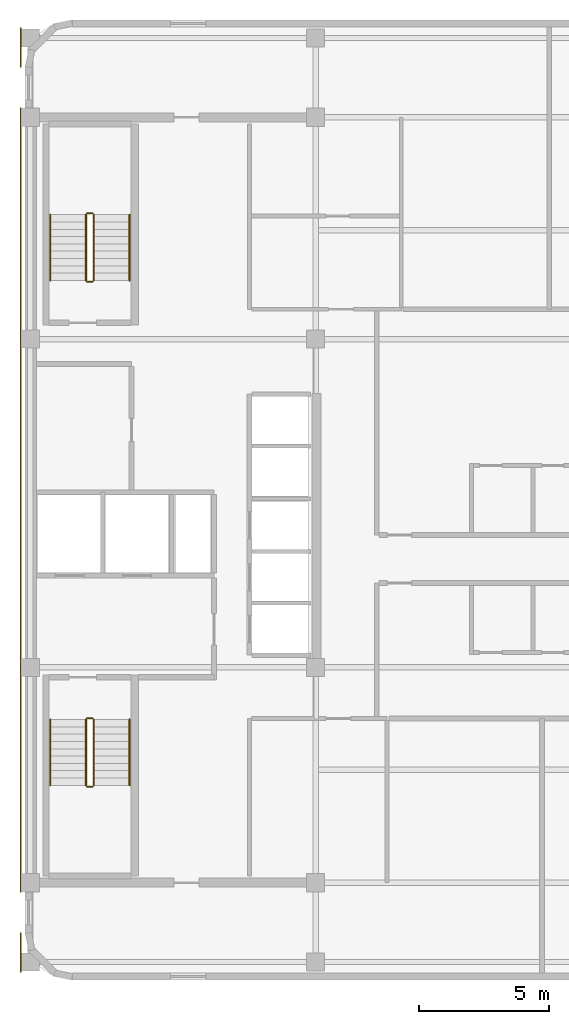
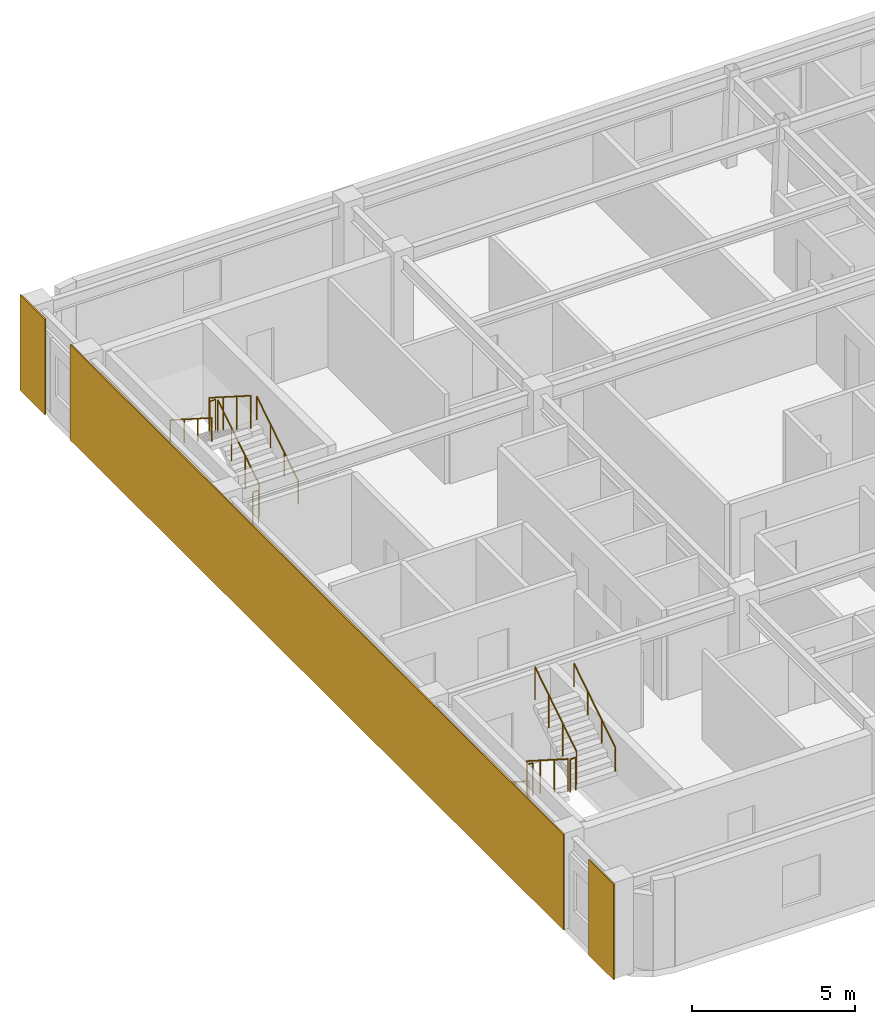
# One storey, part 6 of 6: 12 railings, 3 coverings.
"""IFC4 building model written with IfcOpenShell, lengths in metres."""

from ifc_helpers import new_model, si_unit, direction, frame, origin, origin_2d, place, context, subcontext, project, spatial, rectangle, circle, extrude, material, layer, layer_set, type_object, element, save


model = new_model("IFC4")

# Units and contexts
model_context = context("Model", 3, precision=1e-05, world=origin(), true_north=direction((0.0, 1.0)))
body_context = subcontext(model_context, "Body", "Model", "MODEL_VIEW")
ifc_project = project(units=[si_unit("LENGTHUNIT", "METRE"), si_unit("AREAUNIT", "SQUARE_METRE"), si_unit("VOLUMEUNIT", "CUBIC_METRE"), si_unit("PLANEANGLEUNIT", "RADIAN"), si_unit("MASSUNIT", "GRAM", prefix="KILO")], contexts=[model_context])

# Site, building, storey
site_placement = place(None, origin())
site = spatial("IfcSite", under=ifc_project, at=site_placement, CompositionType="ELEMENT")
building_placement = place(site_placement, origin())
building = spatial("IfcBuilding", under=site, at=building_placement, Name="Ochreholt Gables", CompositionType="ELEMENT")
storey_placement = place(building_placement, frame((0.0, 0.0, 249.60009765625)))
storey = spatial("IfcBuildingStorey", under=building, at=storey_placement, Name="L65", CompositionType="ELEMENT", Elevation=249.60009765625)

# Coverings
ifc_material_1 = material(Name="Glazed Ochre Terracotta Rainscreen Cladding", Category="masonry")
ifc_layer = layer(ifc_material_1, 0.044921875, Name="Glazed Ochre Terracotta Rainscreen Cladding")
ifc_layer_set = layer_set([ifc_layer], Name="Glazed Ochre Terracotta Rainscreen Cladding")
covering_type = type_object("IfcCoveringType", Name="COV-CLAD-TC", PredefinedType="CLADDING", material=ifc_layer_set)
covering_placement = place(storey_placement, frame((23.827880859375, 24.0, 0.009765625), z_axis=(0.0, 0.0, 1.0), x_axis=(0.0, 1.0, 0.0)))
element("IfcCovering", 1, at=covering_placement, inside=storey, type_object=covering_type, Name="L65 West Core Terracotta Rainscreen Cladding", PredefinedType="CLADDING", context=body_context, shape_type="SweptSolid", body=[
    extrude(rectangle(XDim=30.239990234375, YDim=0.044921875, at=origin_2d()), origin(), (0.0, 0.0, 1.0), 3.580078125),
])
for number, where, z_axis, x_axis, name in (
    (2, (23.827880859375, 6.56005859375, 0.009765625), (0.0, 0.0, 1.0), (0.0, 1.0, 0.0), "L65 South-West Pier Terracotta Cladding"),
    (3, (23.827880859375, 41.43994140625, 0.009765625), (0.0, 0.0, 1.0), (0.0, 1.0, 0.0), "L65 North-West Pier Terracotta Cladding"),
):
    element("IfcCovering", number, at=place(storey_placement, frame(where, z_axis=z_axis, x_axis=x_axis)), inside=storey, type_object=covering_type, Name=name, PredefinedType="CLADDING", context=body_context, shape_type="SweptSolid", body=[
        extrude(rectangle(XDim=1.52001953125, YDim=0.044921875, at=origin_2d()), origin(), (0.0, 0.0, 1.0), 3.580078125),
    ])

# Railings
ifc_material_2 = material(Name="Painted Steel Stair Guardrail", Category="steel")
railing_type_1 = type_object("IfcRailingType", Name="RL-ST-GUARD", PredefinedType="GUARDRAIL", material=ifc_material_2)
railing_1_placement = place(storey_placement, frame((26.35009765625, 15.5400390625, 0.179931640625)))
element("IfcRailing", 4, at=railing_1_placement, inside=storey, type_object=railing_type_1, Name="L65 ST-1 stair guard 1", PredefinedType="GUARDRAIL", context=body_context, shape_type="SweptSolid", body=[
    extrude(circle(Radius=0.02392578125, at=origin_2d()), frame((0.0, 0.0, 1.22607421875), z_axis=(0.0, -0.842949592929, 0.537992549931), x_axis=(1.0, 0.0, 0.0)), (0.0, 0.0, 1.0), 3.010986328125),
    extrude(circle(Radius=0.02099609375, at=origin_2d()), origin(), (0.0, 0.0, 1.0), 1.201904296875),
    extrude(circle(Radius=0.02099609375, at=origin_2d()), frame((0.0, -0.845947265625, 0.5400390625)), (0.0, 0.0, 1.0), 1.201904296875),
    extrude(circle(Radius=0.02099609375, at=origin_2d()), frame((0.0, -1.692138671875, 1.079833984375)), (0.0, 0.0, 1.0), 1.201904296875),
    extrude(circle(Radius=0.02099609375, at=origin_2d()), frame((0.0, -2.5380859375, 1.619873046875)), (0.0, 0.0, 1.0), 1.201904296875),
])
railing_2_placement = place(storey_placement, frame((26.39990234375, 12.951904296875, 1.7998046875)))
element("IfcRailing", 5, at=railing_2_placement, inside=storey, type_object=railing_type_1, Name="L65 ST-1 stair guard 2", PredefinedType="GUARDRAIL", context=body_context, shape_type="SweptSolid", body=[
    extrude(circle(Radius=0.02392578125, at=origin_2d()), frame((0.0, 0.0, 1.22607421875), z_axis=(1.0, 0.0, 0.0), x_axis=(0.0, 1.0, 0.0)), (0.0, 0.0, 1.0), 0.2001953125),
    extrude(circle(Radius=0.02099609375, at=origin_2d()), origin(), (0.0, 0.0, 1.0), 1.201904296875),
    extrude(circle(Radius=0.02099609375, at=origin_2d()), frame((0.2001953125, 0.0, 0.0)), (0.0, 0.0, 1.0), 1.201904296875),
])
railing_3_placement = place(storey_placement, frame((26.64990234375, 13.001953125, 1.97998046875)))
element("IfcRailing", 6, at=railing_3_placement, inside=storey, type_object=railing_type_1, Name="L65 ST-1 stair guard 3", PredefinedType="GUARDRAIL", context=body_context, shape_type="SweptSolid", body=[
    extrude(circle(Radius=0.02392578125, at=origin_2d()), frame((0.0, 0.0, 1.22607421875), z_axis=(0.0, 0.842949592929, 0.537992549931), x_axis=(-1.0, 0.0, 0.0)), (0.0, 0.0, 1.0), 3.010986328125),
    extrude(circle(Radius=0.02099609375, at=origin_2d()), origin(), (0.0, 0.0, 1.0), 1.201904296875),
    extrude(circle(Radius=0.02099609375, at=origin_2d()), frame((0.0, 0.845947265625, 0.5400390625)), (0.0, 0.0, 1.0), 1.201904296875),
    extrude(circle(Radius=0.02099609375, at=origin_2d()), frame((0.0, 1.692138671875, 1.079833984375)), (0.0, 0.0, 1.0), 1.201904296875),
    extrude(circle(Radius=0.02099609375, at=origin_2d()), frame((0.0, 2.5380859375, 1.619873046875)), (0.0, 0.0, 1.0), 1.201904296875),
])
railing_4_placement = place(storey_placement, frame((26.39990234375, 15.590087890625, 0.0)))
element("IfcRailing", 7, at=railing_4_placement, inside=storey, type_object=railing_type_1, Name="L65 ST-1 stair guard 4", PredefinedType="GUARDRAIL", context=body_context, shape_type="SweptSolid", body=[
    extrude(circle(Radius=0.02392578125, at=origin_2d()), frame((0.0, 0.0, 1.22607421875), z_axis=(1.0, 0.0, 0.0), x_axis=(0.0, 1.0, 0.0)), (0.0, 0.0, 1.0), 0.2001953125),
    extrude(circle(Radius=0.02099609375, at=origin_2d()), origin(), (0.0, 0.0, 1.0), 1.201904296875),
    extrude(circle(Radius=0.02099609375, at=origin_2d()), frame((0.2001953125, 0.0, 0.0)), (0.0, 0.0, 1.0), 1.201904296875),
])
railing_5_placement = place(storey_placement, frame((26.64990234375, 32.4599609375, 0.179931640625)))
element("IfcRailing", 8, at=railing_5_placement, inside=storey, type_object=railing_type_1, Name="L65 ST-2 stair guard 1", PredefinedType="GUARDRAIL", context=body_context, shape_type="SweptSolid", body=[
    extrude(circle(Radius=0.02392578125, at=origin_2d()), frame((0.0, 0.0, 1.22607421875), z_axis=(0.0, 0.842949592929, 0.537992549931), x_axis=(-1.0, 0.0, 0.0)), (0.0, 0.0, 1.0), 3.010986328125),
    extrude(circle(Radius=0.02099609375, at=origin_2d()), origin(), (0.0, 0.0, 1.0), 1.201904296875),
    extrude(circle(Radius=0.02099609375, at=origin_2d()), frame((0.0, 0.845947265625, 0.5400390625)), (0.0, 0.0, 1.0), 1.201904296875),
    extrude(circle(Radius=0.02099609375, at=origin_2d()), frame((0.0, 1.692138671875, 1.079833984375)), (0.0, 0.0, 1.0), 1.201904296875),
    extrude(circle(Radius=0.02099609375, at=origin_2d()), frame((0.0, 2.5380859375, 1.619873046875)), (0.0, 0.0, 1.0), 1.201904296875),
])
railing_6_placement = place(storey_placement, frame((26.60009765625, 35.048095703125, 1.7998046875)))
element("IfcRailing", 9, at=railing_6_placement, inside=storey, type_object=railing_type_1, Name="L65 ST-2 stair guard 2", PredefinedType="GUARDRAIL", context=body_context, shape_type="SweptSolid", body=[
    extrude(circle(Radius=0.02392578125, at=origin_2d()), frame((0.0, 0.0, 1.22607421875), z_axis=(-1.0, 0.0, 0.0), x_axis=(0.0, -1.0, 0.0)), (0.0, 0.0, 1.0), 0.2001953125),
    extrude(circle(Radius=0.02099609375, at=origin_2d()), origin(), (0.0, 0.0, 1.0), 1.201904296875),
    extrude(circle(Radius=0.02099609375, at=origin_2d()), frame((-0.2001953125, 0.0, 0.0)), (0.0, 0.0, 1.0), 1.201904296875),
])
railing_7_placement = place(storey_placement, frame((26.35009765625, 34.998046875, 1.97998046875)))
element("IfcRailing", 10, at=railing_7_placement, inside=storey, type_object=railing_type_1, Name="L65 ST-2 stair guard 3", PredefinedType="GUARDRAIL", context=body_context, shape_type="SweptSolid", body=[
    extrude(circle(Radius=0.02392578125, at=origin_2d()), frame((0.0, 0.0, 1.22607421875), z_axis=(0.0, -0.842949592929, 0.537992549931), x_axis=(1.0, 0.0, 0.0)), (0.0, 0.0, 1.0), 3.010986328125),
    extrude(circle(Radius=0.02099609375, at=origin_2d()), origin(), (0.0, 0.0, 1.0), 1.201904296875),
    extrude(circle(Radius=0.02099609375, at=origin_2d()), frame((0.0, -0.845947265625, 0.5400390625)), (0.0, 0.0, 1.0), 1.201904296875),
    extrude(circle(Radius=0.02099609375, at=origin_2d()), frame((0.0, -1.692138671875, 1.079833984375)), (0.0, 0.0, 1.0), 1.201904296875),
    extrude(circle(Radius=0.02099609375, at=origin_2d()), frame((0.0, -2.5380859375, 1.619873046875)), (0.0, 0.0, 1.0), 1.201904296875),
])
railing_8_placement = place(storey_placement, frame((26.60009765625, 32.409912109375, 0.0)))
element("IfcRailing", 11, at=railing_8_placement, inside=storey, type_object=railing_type_1, Name="L65 ST-2 stair guard 4", PredefinedType="GUARDRAIL", context=body_context, shape_type="SweptSolid", body=[
    extrude(circle(Radius=0.02392578125, at=origin_2d()), frame((0.0, 0.0, 1.22607421875), z_axis=(-1.0, 0.0, 0.0), x_axis=(0.0, -1.0, 0.0)), (0.0, 0.0, 1.0), 0.2001953125),
    extrude(circle(Radius=0.02099609375, at=origin_2d()), origin(), (0.0, 0.0, 1.0), 1.201904296875),
    extrude(circle(Radius=0.02099609375, at=origin_2d()), frame((-0.2001953125, 0.0, 0.0)), (0.0, 0.0, 1.0), 1.201904296875),
])
ifc_material_3 = material(Name="Brushed Stainless Steel Wall Handrail", Category="steel")
railing_type_2 = type_object("IfcRailingType", Name="RL-ST-HAND", PredefinedType="HANDRAIL", material=ifc_material_3)
railing_9_placement = place(storey_placement, frame((24.969970703125, 15.5400390625, 0.179931640625)))
element("IfcRailing", 12, at=railing_9_placement, inside=storey, type_object=railing_type_2, Name="L65 ST-1 stair handrail 1", PredefinedType="HANDRAIL", context=body_context, shape_type="SweptSolid", body=[
    extrude(circle(Radius=0.02392578125, at=origin_2d()), frame((0.0, 0.0, 0.8759765625), z_axis=(0.0, -0.842949592929, 0.537992549931), x_axis=(1.0, 0.0, 0.0)), (0.0, 0.0, 1.0), 3.010986328125),
    extrude(circle(Radius=0.02099609375, at=origin_2d()), origin(), (0.0, 0.0, 1.0), 0.851806640625),
    extrude(circle(Radius=0.02099609375, at=origin_2d()), frame((0.0, -0.845947265625, 0.5400390625)), (0.0, 0.0, 1.0), 0.851806640625),
    extrude(circle(Radius=0.02099609375, at=origin_2d()), frame((0.0, -1.692138671875, 1.079833984375)), (0.0, 0.0, 1.0), 0.851806640625),
    extrude(circle(Radius=0.02099609375, at=origin_2d()), frame((0.0, -2.5380859375, 1.619873046875)), (0.0, 0.0, 1.0), 0.851806640625),
])
for number, where, name in (
    (13, (28.030029296875, 13.001953125, 1.97998046875), "L65 ST-1 stair handrail 2"),
    (14, (28.030029296875, 32.4599609375, 0.179931640625), "L65 ST-2 stair handrail 1"),
):
    element("IfcRailing", number, at=place(storey_placement, frame(where)), inside=storey, type_object=railing_type_2, Name=name, PredefinedType="HANDRAIL", context=body_context, shape_type="SweptSolid", body=[
        extrude(circle(Radius=0.02392578125, at=origin_2d()), frame((0.0, 0.0, 0.8759765625), z_axis=(0.0, 0.842949592929, 0.537992549931), x_axis=(-1.0, 0.0, 0.0)), (0.0, 0.0, 1.0), 3.010986328125),
        extrude(circle(Radius=0.02099609375, at=origin_2d()), origin(), (0.0, 0.0, 1.0), 0.851806640625),
        extrude(circle(Radius=0.02099609375, at=origin_2d()), frame((0.0, 0.845947265625, 0.5400390625)), (0.0, 0.0, 1.0), 0.851806640625),
        extrude(circle(Radius=0.02099609375, at=origin_2d()), frame((0.0, 1.692138671875, 1.079833984375)), (0.0, 0.0, 1.0), 0.851806640625),
        extrude(circle(Radius=0.02099609375, at=origin_2d()), frame((0.0, 2.5380859375, 1.619873046875)), (0.0, 0.0, 1.0), 0.851806640625),
    ])
railing_10_placement = place(storey_placement, frame((24.969970703125, 34.998046875, 1.97998046875)))
element("IfcRailing", 15, at=railing_10_placement, inside=storey, type_object=railing_type_2, Name="L65 ST-2 stair handrail 2", PredefinedType="HANDRAIL", context=body_context, shape_type="SweptSolid", body=[
    extrude(circle(Radius=0.02392578125, at=origin_2d()), frame((0.0, 0.0, 0.8759765625), z_axis=(0.0, -0.842949592929, 0.537992549931), x_axis=(1.0, 0.0, 0.0)), (0.0, 0.0, 1.0), 3.010986328125),
    extrude(circle(Radius=0.02099609375, at=origin_2d()), origin(), (0.0, 0.0, 1.0), 0.851806640625),
    extrude(circle(Radius=0.02099609375, at=origin_2d()), frame((0.0, -0.845947265625, 0.5400390625)), (0.0, 0.0, 1.0), 0.851806640625),
    extrude(circle(Radius=0.02099609375, at=origin_2d()), frame((0.0, -1.692138671875, 1.079833984375)), (0.0, 0.0, 1.0), 0.851806640625),
    extrude(circle(Radius=0.02099609375, at=origin_2d()), frame((0.0, -2.5380859375, 1.619873046875)), (0.0, 0.0, 1.0), 0.851806640625),
])

save(model, "model.ifc")
